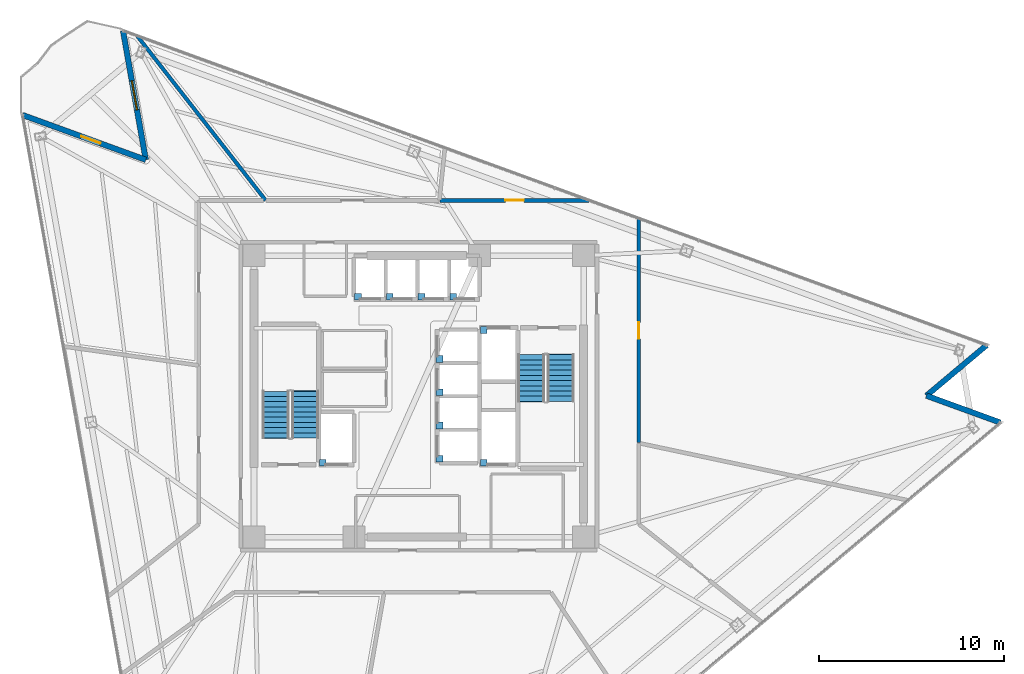
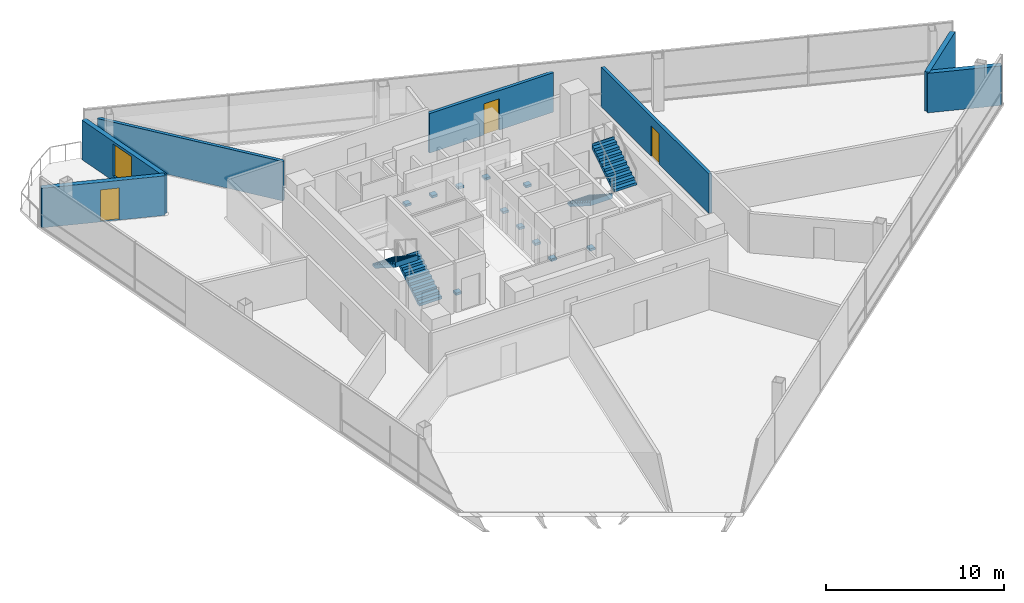
# One storey, part 12 of 16: 11 discrete accessories, 7 walls, 4 stair flights, 3 doors, 1 window, 4 openings, 2 elements without a shape of their own.
"""IFC4 building model written with IfcOpenShell, lengths in metres."""

from ifc_helpers import new_model, si_unit, direction, frame, frame_2d, origin, origin_2d, place, context, subcontext, project, spatial, polyline, rectangle, outline, extrude, material, layer, layer_set, type_object, element, fill, aggregate, save


model = new_model("IFC4")

# Units and contexts
model_context = context("Model", 3, precision=1e-05, world=origin(), true_north=direction((0.0, 1.0)))
body_context = subcontext(model_context, "Body", "Model", "MODEL_VIEW")
ifc_project = project(units=[si_unit("LENGTHUNIT", "METRE"), si_unit("AREAUNIT", "SQUARE_METRE"), si_unit("VOLUMEUNIT", "CUBIC_METRE"), si_unit("PLANEANGLEUNIT", "RADIAN"), si_unit("MASSUNIT", "GRAM", prefix="KILO")], contexts=[model_context])

# Site, building, storey
site_placement = place(None, origin())
site = spatial("IfcSite", under=ifc_project, at=site_placement, CompositionType="ELEMENT")
building_placement = place(site_placement, origin())
building = spatial("IfcBuilding", under=site, at=building_placement, Name="Tharavind Bronze Gate", CompositionType="ELEMENT")
storey_placement = place(building_placement, frame((0.0, 0.0, 170.5)))
storey = spatial("IfcBuildingStorey", under=building, at=storey_placement, Name="L43", CompositionType="ELEMENT", Elevation=170.5)

# Wall, opening, window
ifc_material_1 = material(Name="Concrete C40/50", Category="concrete")
ifc_layer_1 = layer(ifc_material_1, 0.300048828125)
ifc_layer_set_1 = layer_set([ifc_layer_1], Name="Concrete C40/50")
wall_type_1 = type_object("IfcWallType", Name="EXTERIOR SPANDREL WALL 300", PredefinedType="STANDARD", material=ifc_layer_set_1)
wall_1_placement = place(storey_placement, frame((-15.97314453125, 19.743408203125, 0.0), z_axis=(0.0, 0.0, 1.0), x_axis=(0.173651569749, -0.984807154891, 0.0)))
wall_1 = element("IfcWall", 1, at=wall_1_placement, inside=storey, type_object=wall_type_1, Name="L43 notch cheek wall 1A", PredefinedType="STANDARD", context=body_context, shape_type="SweptSolid", body=[
    extrude(rectangle(XDim=7.080322265625, YDim=0.300048828125, at=frame_2d((3.5400390625, 0.0))), origin(), (0.0, 0.0, 1.0), 2.715087890625),
])
opening_1_placement = place(wall_1_placement, frame((2.739990234375, 0.0, 0.3349609375)))
opening_1 = element("IfcOpeningElement", 2, at=opening_1_placement, cuts=wall_1, Name="Opening W05", PredefinedType="OPENING", context=body_context, shape_type="SweptSolid", body=[
    extrude(rectangle(XDim=1.60009765625, YDim=2.199951171875, at=frame_2d((0.800048828125, 1.10009765625))), frame((0.0, 0.15990234375, 0.0), z_axis=(0.0, -1.0, 0.0), x_axis=(1.0, 0.0, 0.0)), (0.0, 0.0, 1.0), 0.320048828125),
])
ifc_material_2 = material(Name="Bronze Aluminium & Low-E Glass", Category="aluminium")
window_type = type_object("IfcWindowType", Name="OFFICE NOTCH BRONZE WINDOW 1600X2200", PartitioningType="DOUBLE_PANEL_VERTICAL", PredefinedType="WINDOW", material=ifc_material_2)
window_placement = place(opening_1_placement, origin())
window = element("IfcWindow", 3, at=window_placement, inside=storey, type_object=window_type, Name="L43 exterior window WL-L43-NCB1-01", OverallHeight=2.199951171875, OverallWidth=1.60009765625, PartitioningType="SINGLE_PANEL", PredefinedType="WINDOW", context=body_context, shape_type="SweptSolid", body=[
    extrude(rectangle(XDim=1.60009765625, YDim=2.199951171875, at=frame_2d((0.800048828125, 1.10009765625))), frame((0.0, 0.030029296875, 0.0), z_axis=(0.0, -1.0, 0.0), x_axis=(1.0, 0.0, 0.0)), (0.0, 0.0, 1.0), 0.06005859375),
])
fill(opening_1, window)

# Wall, opening, door
wall_2_placement = place(storey_placement, frame((-14.74365234375, 12.770751953125, 0.0), z_axis=(0.0, 0.0, 1.0), x_axis=(-0.939687665182, 0.342033758429, 0.0)))
wall_2 = element("IfcWall", 4, at=wall_2_placement, inside=storey, type_object=wall_type_1, Name="L43 notch cheek wall 1B", PredefinedType="STANDARD", context=body_context, shape_type="SweptSolid", body=[
    extrude(rectangle(XDim=7.080078125, YDim=0.300048828125, at=frame_2d((3.5400390625, 0.0))), origin(), (0.0, 0.0, 1.0), 2.715087890625),
])
opening_2_placement = place(wall_2_placement, frame((2.60791015625, 0.0, 0.0)))
opening_2 = element("IfcOpeningElement", 5, at=opening_2_placement, cuts=wall_2, Name="Opening ED04", PredefinedType="OPENING", context=body_context, shape_type="SweptSolid", body=[
    extrude(rectangle(XDim=1.10009765625, YDim=2.199951171875, at=frame_2d((0.550048828125, 1.10009765625))), frame((0.0, 0.15990234375, 0.0), z_axis=(0.0, -1.0, 0.0), x_axis=(1.0, 0.0, 0.0)), (0.0, 0.0, 1.0), 0.320048828125),
])
ifc_material_3 = material(Name="Bronze Aluminium & Toughened Glass", Category="aluminium")
door_type_1 = type_object("IfcDoorType", Name="TREE BALCONY ACCESS DOOR 1100X2200", OperationType="SINGLE_SWING_LEFT", PredefinedType="DOOR", material=ifc_material_3)
door_1_placement = place(opening_2_placement, frame((1.10009765625, 0.0, 0.0), z_axis=(0.0, 0.0, 1.0), x_axis=(-1.0, 0.0, 0.0)))
door_1 = element("IfcDoor", 6, at=door_1_placement, inside=storey, type_object=door_type_1, Name="L43 tree balcony access door", OperationType="SINGLE_SWING_LEFT", OverallHeight=2.199951171875, OverallWidth=1.10009765625, PredefinedType="DOOR", context=body_context, shape_type="SweptSolid", body=[
    extrude(rectangle(XDim=1.10009765625, YDim=2.199951171875, at=frame_2d((0.550048828125, 1.10009765625))), frame((0.0, 0.02490234375, 0.0), z_axis=(0.0, -1.0, 0.0), x_axis=(1.0, 0.0, 0.0)), (0.0, 0.0, 1.0), 0.050048828125),
])
fill(opening_2, door_1)

# Walls
for number, where, z_axis, x_axis, name in (
    (7, (31.410888671875, -1.418212890625, 0.0), (0.0, 0.0, 1.0), (-0.939672547019, 0.342075290511, 0.0), "L43 notch cheek wall 3A"),
    (8, (27.419189453125, 0.034912109375, 0.0), (0.0, 0.0, 1.0), (0.766054602204, 0.642775502367, 0.0), "L43 notch cheek wall 3B"),
):
    element("IfcWall", number, at=place(storey_placement, frame(where, z_axis=z_axis, x_axis=x_axis)), inside=storey, type_object=wall_type_1, Name=name, PredefinedType="STANDARD", context=body_context, shape_type="SweptSolid", body=[
        extrude(rectangle(XDim=4.248046875, YDim=0.300048828125, at=frame_2d((2.1240234375, 0.0))), origin(), (0.0, 0.0, 1.0), 2.715087890625),
    ])

# Wall, opening, door
ifc_material_4 = material(Name="Aerated Concrete Block", Category="concrete")
ifc_layer_2 = layer(ifc_material_4, 0.199951171875)
ifc_layer_set_2 = layer_set([ifc_layer_2], Name="Aerated Concrete Block")
wall_type_2 = type_object("IfcWallType", Name="FIRE RATED PARTITION 200", PredefinedType="PARTITIONING", material=ifc_layer_set_2)
wall_3_placement = place(storey_placement, frame((9.202880859375, 10.580078125, 0.0), z_axis=(0.0, 0.0, 1.0), x_axis=(-1.0, 0.0, 0.0)))
wall_3 = element("IfcWall", 9, at=wall_3_placement, inside=storey, type_object=wall_type_2, Name="L43 Sovereign Fund Open Office partition", PredefinedType="PARTITIONING", context=body_context, shape_type="SweptSolid", body=[
    extrude(rectangle(XDim=8.06298828125, YDim=0.199951171875, at=frame_2d((4.031494140625, 0.0))), origin(), (0.0, 0.0, 1.0), 2.715087890625),
])
opening_3_placement = place(wall_3_placement, frame((3.531982421875, 0.0, 0.0)))
opening_3 = element("IfcOpeningElement", 10, at=opening_3_placement, cuts=wall_3, Name="Opening ID04", PredefinedType="OPENING", context=body_context, shape_type="SweptSolid", body=[
    extrude(rectangle(XDim=1.0, YDim=2.14990234375, at=frame_2d((0.5, 1.074951171875))), frame((0.0, 0.11009765625, 0.0), z_axis=(0.0, -1.0, 0.0), x_axis=(1.0, 0.0, 0.0)), (0.0, 0.0, 1.0), 0.219951171875),
])
ifc_material_5 = material(Name="Bronze Framed Acoustic Timber", Category="wood")
door_type_2 = type_object("IfcDoorType", Name="OFFICE TENANCY DOOR 1000X2150", OperationType="SINGLE_SWING_RIGHT", PredefinedType="DOOR", material=ifc_material_5)
door_2_placement = place(opening_3_placement, origin())
door_2 = element("IfcDoor", 11, at=door_2_placement, inside=storey, type_object=door_type_2, Name="L43 Sovereign Fund Open Office door", OperationType="SINGLE_SWING_RIGHT", OverallHeight=2.14990234375, OverallWidth=1.0, PredefinedType="DOOR", context=body_context, shape_type="SweptSolid", body=[
    extrude(rectangle(XDim=1.0, YDim=2.14990234375, at=frame_2d((0.5, 1.074951171875))), frame((0.0, 0.02490234375, 0.0), z_axis=(0.0, -1.0, 0.0), x_axis=(1.0, 0.0, 0.0)), (0.0, 0.0, 1.0), 0.050048828125),
])
fill(opening_3, door_2)

# Wall
wall_4_placement = place(storey_placement, frame((-8.2734375, 10.589599609375, 0.0), z_axis=(0.0, 0.0, 1.0), x_axis=(-0.61567096372, 0.788003340369, 0.0)))
element("IfcWall", 12, at=wall_4_placement, inside=storey, type_object=wall_type_2, Name="L43 Investment Committee Room partition", PredefinedType="PARTITIONING", context=body_context, shape_type="SweptSolid", body=[
    extrude(rectangle(XDim=11.2626953125, YDim=0.199951171875, at=frame_2d((5.63134765625, 0.0))), origin(), (0.0, 0.0, 1.0), 2.715087890625),
])

# Wall, opening, door
wall_5_placement = place(storey_placement, frame((11.8798828125, -2.5048828125, 0.0), z_axis=(0.0, 0.0, 1.0), x_axis=(0.0, 1.0, 0.0)))
wall_5 = element("IfcWall", 13, at=wall_5_placement, inside=storey, type_object=wall_type_2, Name="L43 Tea Pantry partition", PredefinedType="PARTITIONING", context=body_context, shape_type="SweptSolid", body=[
    extrude(rectangle(XDim=12.110595703125, YDim=0.199951171875, at=frame_2d((6.05517578125, 0.0))), origin(), (0.0, 0.0, 1.0), 2.715087890625),
])
opening_4_placement = place(wall_5_placement, frame((5.60498046875, 0.0, 0.0)))
opening_4 = element("IfcOpeningElement", 14, at=opening_4_placement, cuts=wall_5, Name="Opening ID07", PredefinedType="OPENING", context=body_context, shape_type="SweptSolid", body=[
    extrude(rectangle(XDim=0.89990234375, YDim=2.10009765625, at=frame_2d((0.449951171875, 1.050048828125))), frame((0.0, 0.11009765625, 0.0), z_axis=(0.0, -1.0, 0.0), x_axis=(1.0, 0.0, 0.0)), (0.0, 0.0, 1.0), 0.219951171875),
])
ifc_material_6 = material(Name="Galvanised Fire Steel", Category="steel")
door_type_3 = type_object("IfcDoorType", Name="PLANT AND RISER FIRE DOOR 900X2100", OperationType="SINGLE_SWING_LEFT", PredefinedType="DOOR", material=ifc_material_6)
door_3_placement = place(opening_4_placement, origin())
door_3 = element("IfcDoor", 15, at=door_3_placement, inside=storey, type_object=door_type_3, Name="L43 Tea Pantry door", OperationType="SINGLE_SWING_LEFT", OverallHeight=2.10009765625, OverallWidth=0.89990234375, PredefinedType="DOOR", context=body_context, shape_type="SweptSolid", body=[
    extrude(rectangle(XDim=0.89990234375, YDim=2.10009765625, at=frame_2d((0.449951171875, 1.050048828125))), frame((0.0, 0.02490234375, 0.0), z_axis=(0.0, -1.0, 0.0), x_axis=(1.0, 0.0, 0.0)), (0.0, 0.0, 1.0), 0.050048828125),
])
fill(opening_4, door_3)

# Stair, stair flights
stair_type = type_object("IfcStairType", Name="CORE HALF TURN STAIR 1450", PredefinedType="HALF_TURN_STAIR", material=ifc_material_1)
stair_1_placement = place(storey_placement, origin())
stair_1 = element("IfcStair", 16, at=stair_1_placement, inside=storey, type_object=stair_type, Name="L43 Protected Exit Stair ST1", PredefinedType="HALF_TURN_STAIR")
stair_flight_type = type_object("IfcStairFlightType", Name="CORE STAIR FLIGHT 1450", PredefinedType="STRAIGHT", material=ifc_material_1)
stair_flight_1_placement = place(storey_placement, frame((-6.125, -2.25, 0.0), z_axis=(0.0, 0.0, 1.0), x_axis=(0.0, 1.0, 0.0)))
stair_flight_1 = element("IfcStairFlight", 17, at=stair_flight_1_placement, type_object=stair_flight_type, Name="ST1 flight 1", NumberOfRisers=10, NumberOfTreads=9, PredefinedType="STRAIGHT", RiserHeight=0.18, TreadLength=0.28, context=body_context, shape_type="SweptSolid", body=[
    extrude(outline(polyline([(0.0, 0.0), (0.0, 0.179931640625), (0.280029296875, 0.179931640625), (0.280029296875, 0.360107421875), (0.56005859375, 0.360107421875), (0.56005859375, 0.5400390625), (0.840087890625, 0.5400390625), (0.840087890625, 0.719970703125), (1.1201171875, 0.719970703125), (1.1201171875, 0.89990234375), (1.39990234375, 0.89990234375), (1.39990234375, 1.080078125), (1.679931640625, 1.080078125), (1.679931640625, 1.260009765625), (1.9599609375, 1.260009765625), (1.9599609375, 1.43994140625), (2.239990234375, 1.43994140625), (2.239990234375, 1.6201171875), (2.52001953125, 1.6201171875), (2.52001953125, 1.800048828125), (2.555908203125, 1.800048828125), (2.555908203125, 1.44189453125), (0.277099609375, 0.0), (0.0, 0.0)])), frame((0.0, 0.72509765625, 0.0), z_axis=(0.0, -1.0, 0.0), x_axis=(1.0, 0.0, 0.0)), (0.0, 0.0, 1.0), 1.449951171875),
])
stair_flight_2_placement = place(storey_placement, frame((-7.72509765625, 0.27001953125, 1.800048828125), z_axis=(0.0, 0.0, 1.0), x_axis=(0.0, -1.0, 0.0)))
stair_flight_2 = element("IfcStairFlight", 18, at=stair_flight_2_placement, type_object=stair_flight_type, Name="ST1 flight 2", NumberOfRisers=10, NumberOfTreads=9, PredefinedType="STRAIGHT", RiserHeight=0.18, TreadLength=0.28, context=body_context, shape_type="SweptSolid", body=[
    extrude(outline(polyline([(0.0, 0.0), (0.0, 0.179931640625), (0.280029296875, 0.179931640625), (0.280029296875, 0.360107421875), (0.56005859375, 0.360107421875), (0.56005859375, 0.5400390625), (0.840087890625, 0.5400390625), (0.840087890625, 0.719970703125), (1.1201171875, 0.719970703125), (1.1201171875, 0.89990234375), (1.39990234375, 0.89990234375), (1.39990234375, 1.080078125), (1.679931640625, 1.080078125), (1.679931640625, 1.260009765625), (1.9599609375, 1.260009765625), (1.9599609375, 1.43994140625), (2.239990234375, 1.43994140625), (2.239990234375, 1.6201171875), (2.52001953125, 1.6201171875), (2.52001953125, 1.800048828125), (2.555908203125, 1.800048828125), (2.555908203125, 1.44189453125), (0.277099609375, 0.0), (0.0, 0.0)])), frame((0.0, 0.72509765625, 0.0), z_axis=(0.0, -1.0, 0.0), x_axis=(1.0, 0.0, 0.0)), (0.0, 0.0, 1.0), 1.449951171875),
])
aggregate(stair_1, [stair_flight_1, stair_flight_2])

stair_2_placement = place(storey_placement, origin())
stair_2 = element("IfcStair", 19, at=stair_2_placement, inside=storey, type_object=stair_type, Name="L43 Protected Exit Stair ST2", PredefinedType="HALF_TURN_STAIR")
stair_flight_3_placement = place(storey_placement, frame((6.074951171875, 2.25, 0.0), z_axis=(0.0, 0.0, 1.0), x_axis=(0.0, -1.0, 0.0)))
stair_flight_3 = element("IfcStairFlight", 20, at=stair_flight_3_placement, type_object=stair_flight_type, Name="ST2 flight 1", NumberOfRisers=10, NumberOfTreads=9, PredefinedType="STRAIGHT", RiserHeight=0.18, TreadLength=0.28, context=body_context, shape_type="SweptSolid", body=[
    extrude(outline(polyline([(0.0, 0.0), (0.0, 0.179931640625), (0.280029296875, 0.179931640625), (0.280029296875, 0.360107421875), (0.56005859375, 0.360107421875), (0.56005859375, 0.5400390625), (0.840087890625, 0.5400390625), (0.840087890625, 0.719970703125), (1.1201171875, 0.719970703125), (1.1201171875, 0.89990234375), (1.39990234375, 0.89990234375), (1.39990234375, 1.080078125), (1.679931640625, 1.080078125), (1.679931640625, 1.260009765625), (1.9599609375, 1.260009765625), (1.9599609375, 1.43994140625), (2.239990234375, 1.43994140625), (2.239990234375, 1.6201171875), (2.52001953125, 1.6201171875), (2.52001953125, 1.800048828125), (2.555908203125, 1.800048828125), (2.555908203125, 1.44189453125), (0.277099609375, 0.0), (0.0, 0.0)])), frame((0.0, 0.72509765625, 0.0), z_axis=(0.0, -1.0, 0.0), x_axis=(1.0, 0.0, 0.0)), (0.0, 0.0, 1.0), 1.449951171875),
])
stair_flight_4_placement = place(storey_placement, frame((7.675048828125, -0.27001953125, 1.800048828125), z_axis=(0.0, 0.0, 1.0), x_axis=(0.0, 1.0, 0.0)))
stair_flight_4 = element("IfcStairFlight", 21, at=stair_flight_4_placement, type_object=stair_flight_type, Name="ST2 flight 2", NumberOfRisers=10, NumberOfTreads=9, PredefinedType="STRAIGHT", RiserHeight=0.18, TreadLength=0.28, context=body_context, shape_type="SweptSolid", body=[
    extrude(outline(polyline([(0.0, 0.0), (0.0, 0.179931640625), (0.280029296875, 0.179931640625), (0.280029296875, 0.360107421875), (0.56005859375, 0.360107421875), (0.56005859375, 0.5400390625), (0.840087890625, 0.5400390625), (0.840087890625, 0.719970703125), (1.1201171875, 0.719970703125), (1.1201171875, 0.89990234375), (1.39990234375, 0.89990234375), (1.39990234375, 1.080078125), (1.679931640625, 1.080078125), (1.679931640625, 1.260009765625), (1.9599609375, 1.260009765625), (1.9599609375, 1.43994140625), (2.239990234375, 1.43994140625), (2.239990234375, 1.6201171875), (2.52001953125, 1.6201171875), (2.52001953125, 1.800048828125), (2.555908203125, 1.800048828125), (2.555908203125, 1.44189453125), (0.277099609375, 0.0), (0.0, 0.0)])), frame((0.0, 0.72509765625, 0.0), z_axis=(0.0, -1.0, 0.0), x_axis=(1.0, 0.0, 0.0)), (0.0, 0.0, 1.0), 1.449951171875),
])
aggregate(stair_2, [stair_flight_3, stair_flight_4])

# Discrete accessories
ifc_material_7 = material(Name="Galvanised Steel S355", Category="steel")
discrete_accessory_type = type_object("IfcDiscreteAccessoryType", Name="LIFT GUIDE RAIL BRACKET", PredefinedType="BRACKET", material=ifc_material_7)
for number, where, z_axis, x_axis, name in (
    (22, (-3.280029296875, 5.3701171875, 1.1201171875), (0.0, 0.0, 1.0), (1.0, 0.0, 0.0), "Lift PL5 guide rail bracket at L43"),
    (23, (-1.5673828125, 5.3701171875, 1.1201171875), (0.0, 0.0, 1.0), (1.0, 0.0, 0.0), "Lift PL6 guide rail bracket at L43"),
    (24, (0.14501953125, 5.3701171875, 1.1201171875), (0.0, 0.0, 1.0), (1.0, 0.0, 0.0), "Lift PL7 guide rail bracket at L43"),
    (25, (1.857421875, 5.3701171875, 1.1201171875), (0.0, 0.0, 1.0), (1.0, 0.0, 0.0), "Lift PL8 guide rail bracket at L43"),
    (26, (1.1201171875, -3.3798828125, 1.1201171875), (0.0, 0.0, 1.0), (1.0, 0.0, 0.0), "Lift PL9 guide rail bracket at L43"),
    (27, (1.1201171875, -1.580078125, 1.1201171875), (0.0, 0.0, 1.0), (1.0, 0.0, 0.0), "Lift PL10 guide rail bracket at L43"),
    (28, (1.1201171875, 0.219970703125, 1.1201171875), (0.0, 0.0, 1.0), (1.0, 0.0, 0.0), "Lift PL11 guide rail bracket at L43"),
    (29, (1.1201171875, 2.02001953125, 1.1201171875), (0.0, 0.0, 1.0), (1.0, 0.0, 0.0), "Lift PL12 guide rail bracket at L43"),
    (30, (-5.179931640625, -3.580078125, 1.1201171875), (0.0, 0.0, 1.0), (1.0, 0.0, 0.0), "Lift FFL1 guide rail bracket at L43"),
    (31, (3.5, 3.580078125, 1.1201171875), (0.0, 0.0, 1.0), (1.0, 0.0, 0.0), "Lift FFL2 guide rail bracket at L43"),
    (32, (3.5, -3.580078125, 1.1201171875), (0.0, 0.0, 1.0), (1.0, 0.0, 0.0), "Lift SVL1 guide rail bracket at L43"),
):
    element("IfcDiscreteAccessory", number, at=place(storey_placement, frame(where, z_axis=z_axis, x_axis=x_axis)), inside=storey, type_object=discrete_accessory_type, Name=name, PredefinedType="BRACKET", context=body_context, shape_type="SweptSolid", body=[
        extrude(rectangle(XDim=0.360107421875, YDim=0.360107421875, at=origin_2d()), origin(), (0.0, 0.0, 1.0), 0.159912109375),
    ])

save(model, "model.ifc")
